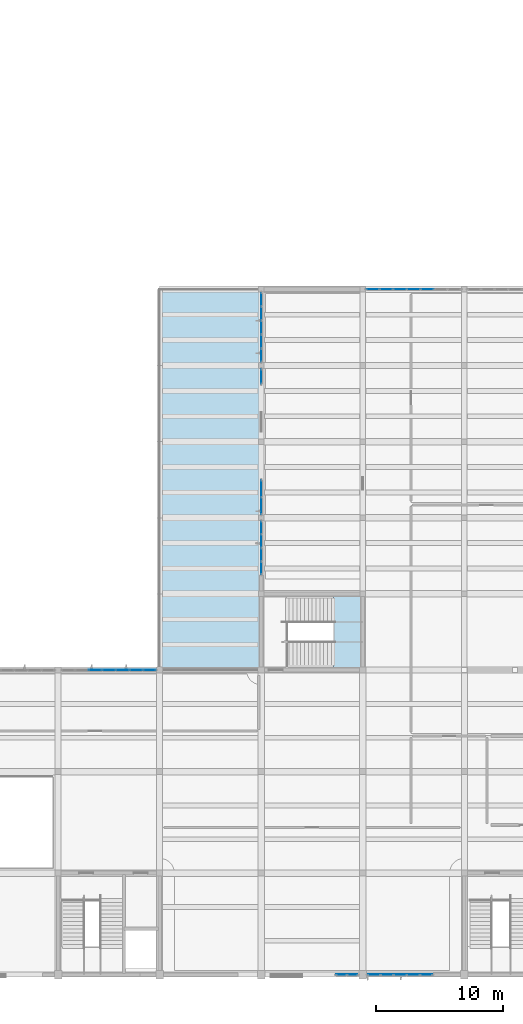
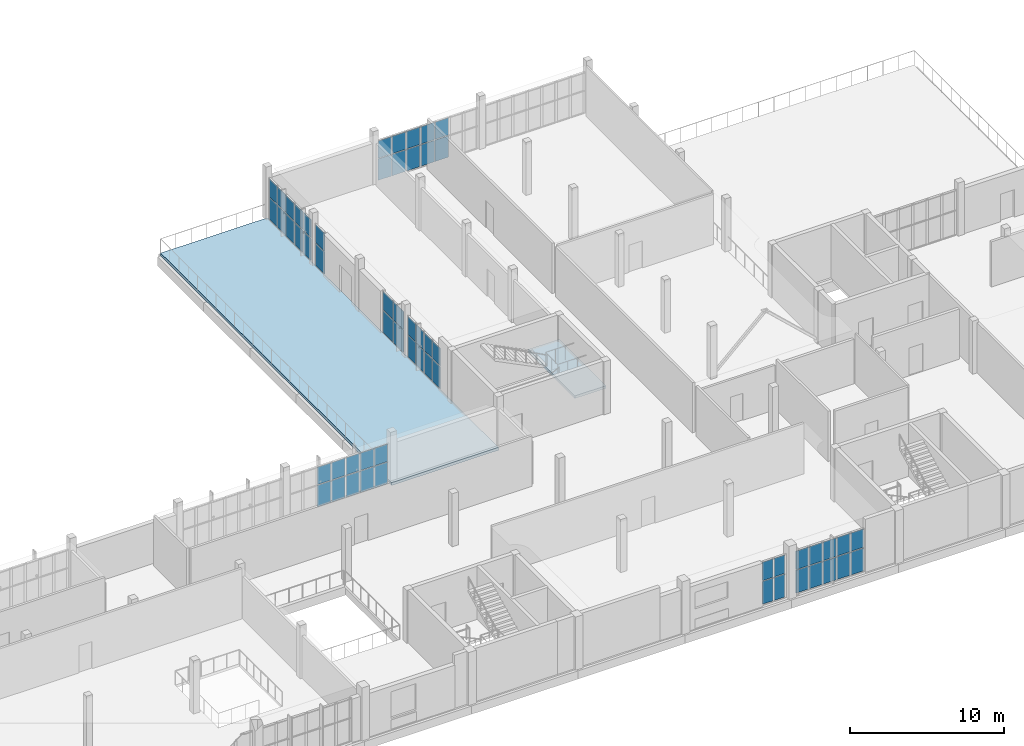
# One storey, part 45 of 70: 58 plates, 2 slabs, 9 elements without a shape of their own.
"""IFC4 building model written with IfcOpenShell, lengths in metres."""

from ifc_helpers import new_model, si_unit, direction, frame, origin, origin_2d, place, context, subcontext, project, spatial, polyline, rectangle, outline, extrude, material, layer, layer_set, type_object, element, aggregate, save


model = new_model("IFC4")

# Units and contexts
model_context = context("Model", 3, precision=1e-05, world=origin(), true_north=direction((0.0, 1.0)))
body_context = subcontext(model_context, "Body", "Model", "MODEL_VIEW")
ifc_project = project(units=[si_unit("LENGTHUNIT", "METRE"), si_unit("AREAUNIT", "SQUARE_METRE"), si_unit("VOLUMEUNIT", "CUBIC_METRE"), si_unit("PLANEANGLEUNIT", "RADIAN"), si_unit("MASSUNIT", "GRAM", prefix="KILO")], contexts=[model_context])

# Site, building, storey
site_placement = place(None, origin())
site = spatial("IfcSite", under=ifc_project, at=site_placement, CompositionType="ELEMENT")
building_placement = place(site_placement, origin())
building = spatial("IfcBuilding", under=site, at=building_placement, Name="Solvane Community Centre", CompositionType="ELEMENT")
storey_placement = place(building_placement, frame((0.0, 0.0, 9.60009765625)))
storey = spatial("IfcBuildingStorey", under=building, at=storey_placement, Name="L02", CompositionType="ELEMENT", Elevation=9.60009765625)

# Slab
ifc_material_1 = material(Name="Concrete C35/45", Category="concrete")
ifc_layer_1 = layer(ifc_material_1, 0.219970703125)
ifc_layer_set_1 = layer_set([ifc_layer_1], Name="Concrete C35/45")
slab_type_1 = type_object("IfcSlabType", Name="Insulated Planted Terrace Slab 220mm [TER-L02-V4E]", PredefinedType="FLOOR", material=ifc_layer_set_1)
slab_1_placement = place(storey_placement, frame((0.0, 0.0, -0.22021484375)))
element("IfcSlab", 1, at=slab_1_placement, inside=storey, type_object=slab_type_1, Name="Library Courtyard Roof Garden", PredefinedType="FLOOR", context=body_context, shape_type="SweptSolid", body=[
    extrude(outline(polyline([(108.0, 30.0), (116.0, 30.0), (116.0, 60.0), (108.0, 60.0), (108.0, 30.0)])), origin(), (0.0, 0.0, 1.0), 0.22021484375),
])

# Curtain wall, plates
ifc_material_2 = material(Name="Anodised bronze aluminium AW-6063 T6", Category="aluminium")
ifc_layer_2 = layer(ifc_material_2, 0.18994140625)
ifc_layer_set_2 = layer_set([ifc_layer_2], Name="Anodised bronze aluminium AW-6063 T6")
curtain_wall_type_1 = type_object("IfcCurtainWallType", Name="Boulevard Bronze Vision Curtain Wall [13x33dm]", PredefinedType="NOTDEFINED", material=ifc_layer_set_2)
curtain_wall_1_placement = place(storey_placement, origin())
curtain_wall_1 = element("IfcCurtainWall", 2, at=curtain_wall_1_placement, inside=storey, type_object=curtain_wall_type_1, Name="Curtain Wall CW-L02-1160_525-198", PredefinedType="NOTDEFINED")
ifc_material_3 = material(Name="Tempered low-E double glazing", Category="glass")
ifc_layer_3 = layer(ifc_material_3, 0.028076171875)
ifc_layer_set_3 = layer_set([ifc_layer_3], Name="Tempered low-E double glazing")
plate_type_1 = type_object("IfcPlateType", Name="Low-E Vision Glazing Panel 28mm [13x33dm]", PredefinedType="CURTAIN_PANEL", material=ifc_layer_set_3)
plate_1_placement = place(storey_placement, frame((116.0, 53.132568359375, 0.059814453125), z_axis=(0.0, 0.0, 1.0), x_axis=(0.0, 1.0, 0.0)))
plate_1 = element("IfcPlate", 3, at=plate_1_placement, type_object=plate_type_1, Name="CW02-13x33 panel 1.1", PredefinedType="CURTAIN_PANEL", context=body_context, shape_type="SweptSolid", body=[
    extrude(rectangle(XDim=1.14501953125, YDim=0.028076171875, at=origin_2d()), origin(), (0.0, 0.0, 1.0), 1.75),
])
plate_2_placement = place(storey_placement, frame((116.0, 53.132568359375, 1.869873046875), z_axis=(0.0, 0.0, 1.0), x_axis=(0.0, 1.0, 0.0)))
plate_2 = element("IfcPlate", 4, at=plate_2_placement, type_object=plate_type_1, Name="CW02-13x33 panel 1.2", PredefinedType="CURTAIN_PANEL", context=body_context, shape_type="SweptSolid", body=[
    extrude(rectangle(XDim=1.14501953125, YDim=0.028076171875, at=origin_2d()), origin(), (0.0, 0.0, 1.0), 1.4150390625),
])
aggregate(curtain_wall_1, [plate_1, plate_2])

ifc_layer_4 = layer(ifc_material_2, 0.18994140625)
ifc_layer_set_4 = layer_set([ifc_layer_4], Name="Anodised bronze aluminium AW-6063 T6")
curtain_wall_type_2 = type_object("IfcCurtainWallType", Name="Boulevard Bronze Vision Curtain Wall [18x34dm]", PredefinedType="NOTDEFINED", material=ifc_layer_set_4)
curtain_wall_2_placement = place(storey_placement, origin())
curtain_wall_2 = element("IfcCurtainWall", 5, at=curtain_wall_2_placement, inside=storey, type_object=curtain_wall_type_2, Name="Curtain Wall CW-L02-1236_60-188", PredefinedType="NOTDEFINED")
ifc_layer_5 = layer(ifc_material_3, 0.028076171875)
ifc_layer_set_5 = layer_set([ifc_layer_5], Name="Tempered low-E double glazing")
plate_type_2 = type_object("IfcPlateType", Name="Low-E Vision Glazing Panel 28mm [18x34dm]", PredefinedType="CURTAIN_PANEL", material=ifc_layer_set_5)
plate_3_placement = place(storey_placement, frame((123.180419921875, 6.0, 0.06005859375), z_axis=(0.0, 0.0, 1.0), x_axis=(-1.0, 0.0, 0.0)))
plate_3 = element("IfcPlate", 6, at=plate_3_placement, type_object=plate_type_2, Name="CW02-18x34 panel 1.1", PredefinedType="CURTAIN_PANEL", context=body_context, shape_type="SweptSolid", body=[
    extrude(rectangle(XDim=0.809326171875, YDim=0.028076171875, at=origin_2d()), origin(), (0.0, 0.0, 1.0), 1.804931640625),
])
plate_4_placement = place(storey_placement, frame((123.180419921875, 6.0, 1.9248046875), z_axis=(0.0, 0.0, 1.0), x_axis=(-1.0, 0.0, 0.0)))
plate_4 = element("IfcPlate", 7, at=plate_4_placement, type_object=plate_type_2, Name="CW02-18x34 panel 1.2", PredefinedType="CURTAIN_PANEL", context=body_context, shape_type="SweptSolid", body=[
    extrude(rectangle(XDim=0.809326171875, YDim=0.028076171875, at=origin_2d()), origin(), (0.0, 0.0, 1.0), 1.4599609375),
])
plate_5_placement = place(storey_placement, frame((122.310791015625, 6.0, 0.06005859375), z_axis=(0.0, 0.0, 1.0), x_axis=(-1.0, 0.0, 0.0)))
plate_5 = element("IfcPlate", 8, at=plate_5_placement, type_object=plate_type_2, Name="CW02-18x34 panel 2.1", PredefinedType="CURTAIN_PANEL", context=body_context, shape_type="SweptSolid", body=[
    extrude(rectangle(XDim=0.809326171875, YDim=0.028076171875, at=origin_2d()), origin(), (0.0, 0.0, 1.0), 1.804931640625),
])
plate_6_placement = place(storey_placement, frame((122.310791015625, 6.0, 1.9248046875), z_axis=(0.0, 0.0, 1.0), x_axis=(-1.0, 0.0, 0.0)))
plate_6 = element("IfcPlate", 9, at=plate_6_placement, type_object=plate_type_2, Name="CW02-18x34 panel 2.2", PredefinedType="CURTAIN_PANEL", context=body_context, shape_type="SweptSolid", body=[
    extrude(rectangle(XDim=0.809326171875, YDim=0.028076171875, at=origin_2d()), origin(), (0.0, 0.0, 1.0), 1.4599609375),
])
aggregate(curtain_wall_2, [plate_3, plate_4, plate_5, plate_6])

ifc_layer_6 = layer(ifc_material_2, 0.18994140625)
ifc_layer_set_6 = layer_set([ifc_layer_6], Name="Anodised bronze aluminium AW-6063 T6")
curtain_wall_type_3 = type_object("IfcCurtainWallType", Name="Boulevard Bronze Vision Curtain Wall [28x33dm]", PredefinedType="NOTDEFINED", material=ifc_layer_set_6)
curtain_wall_3_placement = place(storey_placement, origin())
curtain_wall_3 = element("IfcCurtainWall", 10, at=curtain_wall_3_placement, inside=storey, type_object=curtain_wall_type_3, Name="Curtain Wall CW-L02-1160_422-197", PredefinedType="NOTDEFINED")
ifc_layer_7 = layer(ifc_material_3, 0.028076171875)
ifc_layer_set_7 = layer_set([ifc_layer_7], Name="Tempered low-E double glazing")
plate_type_3 = type_object("IfcPlateType", Name="Low-E Vision Glazing Panel 28mm [28x33dm]", PredefinedType="CURTAIN_PANEL", material=ifc_layer_set_7)
plate_7_placement = place(storey_placement, frame((116.0, 42.941162109375, 0.059814453125), z_axis=(0.0, 0.0, 1.0), x_axis=(0.0, 1.0, 0.0)))
plate_7 = element("IfcPlate", 11, at=plate_7_placement, type_object=plate_type_3, Name="CW02-28x33 panel 1.1", PredefinedType="CURTAIN_PANEL", context=body_context, shape_type="SweptSolid", body=[
    extrude(rectangle(XDim=1.29248046875, YDim=0.028076171875, at=origin_2d()), origin(), (0.0, 0.0, 1.0), 1.75),
])
plate_8_placement = place(storey_placement, frame((116.0, 42.941162109375, 1.869873046875), z_axis=(0.0, 0.0, 1.0), x_axis=(0.0, 1.0, 0.0)))
plate_8 = element("IfcPlate", 12, at=plate_8_placement, type_object=plate_type_3, Name="CW02-28x33 panel 1.2", PredefinedType="CURTAIN_PANEL", context=body_context, shape_type="SweptSolid", body=[
    extrude(rectangle(XDim=1.29248046875, YDim=0.028076171875, at=origin_2d()), origin(), (0.0, 0.0, 1.0), 1.4150390625),
])
plate_9_placement = place(storey_placement, frame((116.0, 44.293701171875, 0.059814453125), z_axis=(0.0, 0.0, 1.0), x_axis=(0.0, 1.0, 0.0)))
plate_9 = element("IfcPlate", 13, at=plate_9_placement, type_object=plate_type_3, Name="CW02-28x33 panel 2.1", PredefinedType="CURTAIN_PANEL", context=body_context, shape_type="SweptSolid", body=[
    extrude(rectangle(XDim=1.29248046875, YDim=0.028076171875, at=origin_2d()), origin(), (0.0, 0.0, 1.0), 1.75),
])
plate_10_placement = place(storey_placement, frame((116.0, 44.293701171875, 1.869873046875), z_axis=(0.0, 0.0, 1.0), x_axis=(0.0, 1.0, 0.0)))
plate_10 = element("IfcPlate", 14, at=plate_10_placement, type_object=plate_type_3, Name="CW02-28x33 panel 2.2", PredefinedType="CURTAIN_PANEL", context=body_context, shape_type="SweptSolid", body=[
    extrude(rectangle(XDim=1.29248046875, YDim=0.028076171875, at=origin_2d()), origin(), (0.0, 0.0, 1.0), 1.4150390625),
])
aggregate(curtain_wall_3, [plate_7, plate_8, plate_9, plate_10])

ifc_layer_8 = layer(ifc_material_2, 0.18994140625)
ifc_layer_set_8 = layer_set([ifc_layer_8], Name="Anodised bronze aluminium AW-6063 T6")
curtain_wall_type_4 = type_object("IfcCurtainWallType", Name="Boulevard Bronze Vision Curtain Wall [43x33dm]", PredefinedType="NOTDEFINED", material=ifc_layer_set_8)
curtain_wall_4_placement = place(storey_placement, origin())
curtain_wall_4 = element("IfcCurtainWall", 15, at=curtain_wall_4_placement, inside=storey, type_object=curtain_wall_type_4, Name="Curtain Wall CW-L02-1160_375-196", PredefinedType="NOTDEFINED")
ifc_layer_9 = layer(ifc_material_3, 0.028076171875)
ifc_layer_set_9 = layer_set([ifc_layer_9], Name="Tempered low-E double glazing")
plate_type_4 = type_object("IfcPlateType", Name="Low-E Vision Glazing Panel 28mm [43x33dm]", PredefinedType="CURTAIN_PANEL", material=ifc_layer_set_9)
plate_11_placement = place(storey_placement, frame((116.0, 38.048095703125, 0.059814453125), z_axis=(0.0, 0.0, 1.0), x_axis=(0.0, 1.0, 0.0)))
plate_11 = element("IfcPlate", 16, at=plate_11_placement, type_object=plate_type_4, Name="CW02-43x33 panel 1.1", PredefinedType="CURTAIN_PANEL", context=body_context, shape_type="SweptSolid", body=[
    extrude(rectangle(XDim=0.976318359375, YDim=0.028076171875, at=origin_2d()), origin(), (0.0, 0.0, 1.0), 1.75),
])
plate_12_placement = place(storey_placement, frame((116.0, 38.048095703125, 1.869873046875), z_axis=(0.0, 0.0, 1.0), x_axis=(0.0, 1.0, 0.0)))
plate_12 = element("IfcPlate", 17, at=plate_12_placement, type_object=plate_type_4, Name="CW02-43x33 panel 1.2", PredefinedType="CURTAIN_PANEL", context=body_context, shape_type="SweptSolid", body=[
    extrude(rectangle(XDim=0.976318359375, YDim=0.028076171875, at=origin_2d()), origin(), (0.0, 0.0, 1.0), 1.4150390625),
])
plate_13_placement = place(storey_placement, frame((116.0, 39.099365234375, 0.059814453125), z_axis=(0.0, 0.0, 1.0), x_axis=(0.0, 1.0, 0.0)))
plate_13 = element("IfcPlate", 18, at=plate_13_placement, type_object=plate_type_4, Name="CW02-43x33 panel 2.1", PredefinedType="CURTAIN_PANEL", context=body_context, shape_type="SweptSolid", body=[
    extrude(rectangle(XDim=1.00634765625, YDim=0.028076171875, at=origin_2d()), origin(), (0.0, 0.0, 1.0), 1.75),
])
plate_14_placement = place(storey_placement, frame((116.0, 39.099365234375, 1.869873046875), z_axis=(0.0, 0.0, 1.0), x_axis=(0.0, 1.0, 0.0)))
plate_14 = element("IfcPlate", 19, at=plate_14_placement, type_object=plate_type_4, Name="CW02-43x33 panel 2.2", PredefinedType="CURTAIN_PANEL", context=body_context, shape_type="SweptSolid", body=[
    extrude(rectangle(XDim=1.00634765625, YDim=0.028076171875, at=origin_2d()), origin(), (0.0, 0.0, 1.0), 1.4150390625),
])
plate_15_placement = place(storey_placement, frame((116.0, 40.16552734375, 0.059814453125), z_axis=(0.0, 0.0, 1.0), x_axis=(0.0, 1.0, 0.0)))
plate_15 = element("IfcPlate", 20, at=plate_15_placement, type_object=plate_type_4, Name="CW02-43x33 panel 3.1", PredefinedType="CURTAIN_PANEL", context=body_context, shape_type="SweptSolid", body=[
    extrude(rectangle(XDim=1.00634765625, YDim=0.028076171875, at=origin_2d()), origin(), (0.0, 0.0, 1.0), 1.75),
])
plate_16_placement = place(storey_placement, frame((116.0, 40.16552734375, 1.869873046875), z_axis=(0.0, 0.0, 1.0), x_axis=(0.0, 1.0, 0.0)))
plate_16 = element("IfcPlate", 21, at=plate_16_placement, type_object=plate_type_4, Name="CW02-43x33 panel 3.2", PredefinedType="CURTAIN_PANEL", context=body_context, shape_type="SweptSolid", body=[
    extrude(rectangle(XDim=1.00634765625, YDim=0.028076171875, at=origin_2d()), origin(), (0.0, 0.0, 1.0), 1.4150390625),
])
plate_17_placement = place(storey_placement, frame((116.0, 41.216796875, 0.059814453125), z_axis=(0.0, 0.0, 1.0), x_axis=(0.0, 1.0, 0.0)))
plate_17 = element("IfcPlate", 22, at=plate_17_placement, type_object=plate_type_4, Name="CW02-43x33 panel 4.1", PredefinedType="CURTAIN_PANEL", context=body_context, shape_type="SweptSolid", body=[
    extrude(rectangle(XDim=0.976318359375, YDim=0.028076171875, at=origin_2d()), origin(), (0.0, 0.0, 1.0), 1.75),
])
plate_18_placement = place(storey_placement, frame((116.0, 41.216796875, 1.869873046875), z_axis=(0.0, 0.0, 1.0), x_axis=(0.0, 1.0, 0.0)))
plate_18 = element("IfcPlate", 23, at=plate_18_placement, type_object=plate_type_4, Name="CW02-43x33 panel 4.2", PredefinedType="CURTAIN_PANEL", context=body_context, shape_type="SweptSolid", body=[
    extrude(rectangle(XDim=0.976318359375, YDim=0.028076171875, at=origin_2d()), origin(), (0.0, 0.0, 1.0), 1.4150390625),
])
aggregate(curtain_wall_4, [plate_11, plate_12, plate_13, plate_14, plate_15, plate_16, plate_17, plate_18])

ifc_layer_10 = layer(ifc_material_2, 0.18994140625)
ifc_layer_set_10 = layer_set([ifc_layer_10], Name="Anodised bronze aluminium AW-6063 T6")
curtain_wall_type_5 = type_object("IfcCurtainWallType", Name="Boulevard Bronze Vision Curtain Wall [52x34dm]", PredefinedType="NOTDEFINED", material=ifc_layer_set_10)
curtain_wall_5_placement = place(storey_placement, origin())
curtain_wall_5 = element("IfcCurtainWall", 24, at=curtain_wall_5_placement, inside=storey, type_object=curtain_wall_type_5, Name="Curtain Wall CW-L02-1295_60-187", PredefinedType="NOTDEFINED")
ifc_layer_11 = layer(ifc_material_3, 0.028076171875)
ifc_layer_set_11 = layer_set([ifc_layer_11], Name="Tempered low-E double glazing")
plate_type_5 = type_object("IfcPlateType", Name="Low-E Vision Glazing Panel 28mm [52x34dm]", PredefinedType="CURTAIN_PANEL", material=ifc_layer_set_11)
plate_19_placement = place(storey_placement, frame((129.005126953125, 6.0, 0.06005859375), z_axis=(0.0, 0.0, 1.0), x_axis=(-1.0, 0.0, 0.0)))
plate_19 = element("IfcPlate", 25, at=plate_19_placement, type_object=plate_type_5, Name="CW02-52x34 panel 1.1", PredefinedType="CURTAIN_PANEL", context=body_context, shape_type="SweptSolid", body=[
    extrude(rectangle(XDim=0.94677734375, YDim=0.028076171875, at=origin_2d()), origin(), (0.0, 0.0, 1.0), 1.804931640625),
])
plate_20_placement = place(storey_placement, frame((129.005126953125, 6.0, 1.9248046875), z_axis=(0.0, 0.0, 1.0), x_axis=(-1.0, 0.0, 0.0)))
plate_20 = element("IfcPlate", 26, at=plate_20_placement, type_object=plate_type_5, Name="CW02-52x34 panel 1.2", PredefinedType="CURTAIN_PANEL", context=body_context, shape_type="SweptSolid", body=[
    extrude(rectangle(XDim=0.94677734375, YDim=0.028076171875, at=origin_2d()), origin(), (0.0, 0.0, 1.0), 1.4599609375),
])
plate_21_placement = place(storey_placement, frame((127.9833984375, 6.0, 0.06005859375), z_axis=(0.0, 0.0, 1.0), x_axis=(-1.0, 0.0, 0.0)))
plate_21 = element("IfcPlate", 27, at=plate_21_placement, type_object=plate_type_5, Name="CW02-52x34 panel 2.1", PredefinedType="CURTAIN_PANEL", context=body_context, shape_type="SweptSolid", body=[
    extrude(rectangle(XDim=0.976806640625, YDim=0.028076171875, at=origin_2d()), origin(), (0.0, 0.0, 1.0), 1.804931640625),
])
plate_22_placement = place(storey_placement, frame((127.9833984375, 6.0, 1.9248046875), z_axis=(0.0, 0.0, 1.0), x_axis=(-1.0, 0.0, 0.0)))
plate_22 = element("IfcPlate", 28, at=plate_22_placement, type_object=plate_type_5, Name="CW02-52x34 panel 2.2", PredefinedType="CURTAIN_PANEL", context=body_context, shape_type="SweptSolid", body=[
    extrude(rectangle(XDim=0.976806640625, YDim=0.028076171875, at=origin_2d()), origin(), (0.0, 0.0, 1.0), 1.4599609375),
])
plate_23_placement = place(storey_placement, frame((126.94677734375, 6.0, 0.06005859375), z_axis=(0.0, 0.0, 1.0), x_axis=(-1.0, 0.0, 0.0)))
plate_23 = element("IfcPlate", 29, at=plate_23_placement, type_object=plate_type_5, Name="CW02-52x34 panel 3.1", PredefinedType="CURTAIN_PANEL", context=body_context, shape_type="SweptSolid", body=[
    extrude(rectangle(XDim=0.976806640625, YDim=0.028076171875, at=origin_2d()), origin(), (0.0, 0.0, 1.0), 1.804931640625),
])
plate_24_placement = place(storey_placement, frame((126.94677734375, 6.0, 1.9248046875), z_axis=(0.0, 0.0, 1.0), x_axis=(-1.0, 0.0, 0.0)))
plate_24 = element("IfcPlate", 30, at=plate_24_placement, type_object=plate_type_5, Name="CW02-52x34 panel 3.2", PredefinedType="CURTAIN_PANEL", context=body_context, shape_type="SweptSolid", body=[
    extrude(rectangle(XDim=0.976806640625, YDim=0.028076171875, at=origin_2d()), origin(), (0.0, 0.0, 1.0), 1.4599609375),
])
plate_25_placement = place(storey_placement, frame((125.91015625, 6.0, 0.06005859375), z_axis=(0.0, 0.0, 1.0), x_axis=(-1.0, 0.0, 0.0)))
plate_25 = element("IfcPlate", 31, at=plate_25_placement, type_object=plate_type_5, Name="CW02-52x34 panel 4.1", PredefinedType="CURTAIN_PANEL", context=body_context, shape_type="SweptSolid", body=[
    extrude(rectangle(XDim=0.976806640625, YDim=0.028076171875, at=origin_2d()), origin(), (0.0, 0.0, 1.0), 1.804931640625),
])
plate_26_placement = place(storey_placement, frame((125.91015625, 6.0, 1.9248046875), z_axis=(0.0, 0.0, 1.0), x_axis=(-1.0, 0.0, 0.0)))
plate_26 = element("IfcPlate", 32, at=plate_26_placement, type_object=plate_type_5, Name="CW02-52x34 panel 4.2", PredefinedType="CURTAIN_PANEL", context=body_context, shape_type="SweptSolid", body=[
    extrude(rectangle(XDim=0.976806640625, YDim=0.028076171875, at=origin_2d()), origin(), (0.0, 0.0, 1.0), 1.4599609375),
])
plate_27_placement = place(storey_placement, frame((124.888427734375, 6.0, 0.06005859375), z_axis=(0.0, 0.0, 1.0), x_axis=(-1.0, 0.0, 0.0)))
plate_27 = element("IfcPlate", 33, at=plate_27_placement, type_object=plate_type_5, Name="CW02-52x34 panel 5.1", PredefinedType="CURTAIN_PANEL", context=body_context, shape_type="SweptSolid", body=[
    extrude(rectangle(XDim=0.94677734375, YDim=0.028076171875, at=origin_2d()), origin(), (0.0, 0.0, 1.0), 1.804931640625),
])
plate_28_placement = place(storey_placement, frame((124.888427734375, 6.0, 1.9248046875), z_axis=(0.0, 0.0, 1.0), x_axis=(-1.0, 0.0, 0.0)))
plate_28 = element("IfcPlate", 34, at=plate_28_placement, type_object=plate_type_5, Name="CW02-52x34 panel 5.2", PredefinedType="CURTAIN_PANEL", context=body_context, shape_type="SweptSolid", body=[
    extrude(rectangle(XDim=0.94677734375, YDim=0.028076171875, at=origin_2d()), origin(), (0.0, 0.0, 1.0), 1.4599609375),
])
aggregate(curtain_wall_5, [plate_19, plate_20, plate_21, plate_22, plate_23, plate_24, plate_25, plate_26, plate_27, plate_28])

ifc_layer_12 = layer(ifc_material_2, 0.18994140625)
ifc_layer_set_12 = layer_set([ifc_layer_12], Name="Anodised bronze aluminium AW-6063 T6")
curtain_wall_type_6 = type_object("IfcCurtainWallType", Name="Boulevard Bronze Vision Curtain Wall [55x33dm]", PredefinedType="NOTDEFINED", material=ifc_layer_set_12)
curtain_wall_6_placement = place(storey_placement, origin())
curtain_wall_6 = element("IfcCurtainWall", 35, at=curtain_wall_6_placement, inside=storey, type_object=curtain_wall_type_6, Name="Curtain Wall CW-L02-1160_542-199", PredefinedType="NOTDEFINED")
ifc_layer_13 = layer(ifc_material_3, 0.028076171875)
ifc_layer_set_13 = layer_set([ifc_layer_13], Name="Tempered low-E double glazing")
plate_type_6 = type_object("IfcPlateType", Name="Low-E Vision Glazing Panel 28mm [55x33dm]", PredefinedType="CURTAIN_PANEL", material=ifc_layer_set_13)
plate_29_placement = place(storey_placement, frame((116.0, 54.802978515625, 0.059814453125), z_axis=(0.0, 0.0, 1.0), x_axis=(0.0, 1.0, 0.0)))
plate_29 = element("IfcPlate", 36, at=plate_29_placement, type_object=plate_type_6, Name="CW02-55x33 panel 1.1", PredefinedType="CURTAIN_PANEL", context=body_context, shape_type="SweptSolid", body=[
    extrude(rectangle(XDim=1.01611328125, YDim=0.028076171875, at=origin_2d()), origin(), (0.0, 0.0, 1.0), 1.75),
])
plate_30_placement = place(storey_placement, frame((116.0, 54.802978515625, 1.869873046875), z_axis=(0.0, 0.0, 1.0), x_axis=(0.0, 1.0, 0.0)))
plate_30 = element("IfcPlate", 37, at=plate_30_placement, type_object=plate_type_6, Name="CW02-55x33 panel 1.2", PredefinedType="CURTAIN_PANEL", context=body_context, shape_type="SweptSolid", body=[
    extrude(rectangle(XDim=1.01611328125, YDim=0.028076171875, at=origin_2d()), origin(), (0.0, 0.0, 1.0), 1.4150390625),
])
plate_31_placement = place(storey_placement, frame((116.0, 55.89404296875, 0.059814453125), z_axis=(0.0, 0.0, 1.0), x_axis=(0.0, 1.0, 0.0)))
plate_31 = element("IfcPlate", 38, at=plate_31_placement, type_object=plate_type_6, Name="CW02-55x33 panel 2.1", PredefinedType="CURTAIN_PANEL", context=body_context, shape_type="SweptSolid", body=[
    extrude(rectangle(XDim=1.0458984375, YDim=0.028076171875, at=origin_2d()), origin(), (0.0, 0.0, 1.0), 1.75),
])
plate_32_placement = place(storey_placement, frame((116.0, 55.89404296875, 1.869873046875), z_axis=(0.0, 0.0, 1.0), x_axis=(0.0, 1.0, 0.0)))
plate_32 = element("IfcPlate", 39, at=plate_32_placement, type_object=plate_type_6, Name="CW02-55x33 panel 2.2", PredefinedType="CURTAIN_PANEL", context=body_context, shape_type="SweptSolid", body=[
    extrude(rectangle(XDim=1.0458984375, YDim=0.028076171875, at=origin_2d()), origin(), (0.0, 0.0, 1.0), 1.4150390625),
])
plate_33_placement = place(storey_placement, frame((116.0, 57.0, 0.059814453125), z_axis=(0.0, 0.0, 1.0), x_axis=(0.0, 1.0, 0.0)))
plate_33 = element("IfcPlate", 40, at=plate_33_placement, type_object=plate_type_6, Name="CW02-55x33 panel 3.1", PredefinedType="CURTAIN_PANEL", context=body_context, shape_type="SweptSolid", body=[
    extrude(rectangle(XDim=1.0458984375, YDim=0.028076171875, at=origin_2d()), origin(), (0.0, 0.0, 1.0), 1.75),
])
plate_34_placement = place(storey_placement, frame((116.0, 57.0, 1.869873046875), z_axis=(0.0, 0.0, 1.0), x_axis=(0.0, 1.0, 0.0)))
plate_34 = element("IfcPlate", 41, at=plate_34_placement, type_object=plate_type_6, Name="CW02-55x33 panel 3.2", PredefinedType="CURTAIN_PANEL", context=body_context, shape_type="SweptSolid", body=[
    extrude(rectangle(XDim=1.0458984375, YDim=0.028076171875, at=origin_2d()), origin(), (0.0, 0.0, 1.0), 1.4150390625),
])
plate_35_placement = place(storey_placement, frame((116.0, 58.10595703125, 0.059814453125), z_axis=(0.0, 0.0, 1.0), x_axis=(0.0, 1.0, 0.0)))
plate_35 = element("IfcPlate", 42, at=plate_35_placement, type_object=plate_type_6, Name="CW02-55x33 panel 4.1", PredefinedType="CURTAIN_PANEL", context=body_context, shape_type="SweptSolid", body=[
    extrude(rectangle(XDim=1.0458984375, YDim=0.028076171875, at=origin_2d()), origin(), (0.0, 0.0, 1.0), 1.75),
])
plate_36_placement = place(storey_placement, frame((116.0, 58.10595703125, 1.869873046875), z_axis=(0.0, 0.0, 1.0), x_axis=(0.0, 1.0, 0.0)))
plate_36 = element("IfcPlate", 43, at=plate_36_placement, type_object=plate_type_6, Name="CW02-55x33 panel 4.2", PredefinedType="CURTAIN_PANEL", context=body_context, shape_type="SweptSolid", body=[
    extrude(rectangle(XDim=1.0458984375, YDim=0.028076171875, at=origin_2d()), origin(), (0.0, 0.0, 1.0), 1.4150390625),
])
plate_37_placement = place(storey_placement, frame((116.0, 59.197021484375, 0.059814453125), z_axis=(0.0, 0.0, 1.0), x_axis=(0.0, 1.0, 0.0)))
plate_37 = element("IfcPlate", 44, at=plate_37_placement, type_object=plate_type_6, Name="CW02-55x33 panel 5.1", PredefinedType="CURTAIN_PANEL", context=body_context, shape_type="SweptSolid", body=[
    extrude(rectangle(XDim=1.01611328125, YDim=0.028076171875, at=origin_2d()), origin(), (0.0, 0.0, 1.0), 1.75),
])
plate_38_placement = place(storey_placement, frame((116.0, 59.197021484375, 1.869873046875), z_axis=(0.0, 0.0, 1.0), x_axis=(0.0, 1.0, 0.0)))
plate_38 = element("IfcPlate", 45, at=plate_38_placement, type_object=plate_type_6, Name="CW02-55x33 panel 5.2", PredefinedType="CURTAIN_PANEL", context=body_context, shape_type="SweptSolid", body=[
    extrude(rectangle(XDim=1.01611328125, YDim=0.028076171875, at=origin_2d()), origin(), (0.0, 0.0, 1.0), 1.4150390625),
])
aggregate(curtain_wall_6, [plate_29, plate_30, plate_31, plate_32, plate_33, plate_34, plate_35, plate_36, plate_37, plate_38])

ifc_layer_14 = layer(ifc_material_2, 0.18994140625)
ifc_layer_set_14 = layer_set([ifc_layer_14], Name="Anodised bronze aluminium AW-6063 T6")
curtain_wall_type_7 = type_object("IfcCurtainWallType", Name="Boulevard Bronze Vision Curtain Wall [75x32dm]", PredefinedType="NOTDEFINED", material=ifc_layer_set_14)
curtain_wall_7_placement = place(storey_placement, origin())
curtain_wall_7 = element("IfcCurtainWall", 46, at=curtain_wall_7_placement, inside=storey, type_object=curtain_wall_type_7, Name="Curtain Wall CW-L02-1003_300-195", PredefinedType="NOTDEFINED")
ifc_layer_15 = layer(ifc_material_3, 0.028076171875)
ifc_layer_set_15 = layer_set([ifc_layer_15], Name="Tempered low-E double glazing")
plate_type_7 = type_object("IfcPlateType", Name="Low-E Vision Glazing Panel 28mm [75x32dm]", PredefinedType="CURTAIN_PANEL", material=ifc_layer_set_15)
plate_39_placement = place(storey_placement, frame((102.929931640625, 30.0, 0.06005859375), z_axis=(0.0, 0.0, 1.0), x_axis=(1.0, 0.0, 0.0)))
plate_39 = element("IfcPlate", 47, at=plate_39_placement, type_object=plate_type_7, Name="CW02-75x32 panel 3.1", PredefinedType="CURTAIN_PANEL", context=body_context, shape_type="SweptSolid", body=[
    extrude(rectangle(XDim=1.010009765625, YDim=0.028076171875, at=origin_2d()), origin(), (0.0, 0.0, 1.0), 1.695068359375),
])
plate_40_placement = place(storey_placement, frame((102.929931640625, 30.0, 1.81494140625), z_axis=(0.0, 0.0, 1.0), x_axis=(1.0, 0.0, 0.0)))
plate_40 = element("IfcPlate", 48, at=plate_40_placement, type_object=plate_type_7, Name="CW02-75x32 panel 3.2", PredefinedType="CURTAIN_PANEL", context=body_context, shape_type="SweptSolid", body=[
    extrude(rectangle(XDim=1.010009765625, YDim=0.028076171875, at=origin_2d()), origin(), (0.0, 0.0, 1.0), 1.3701171875),
])
plate_41_placement = place(storey_placement, frame((104.0, 30.0, 0.06005859375), z_axis=(0.0, 0.0, 1.0), x_axis=(1.0, 0.0, 0.0)))
plate_41 = element("IfcPlate", 49, at=plate_41_placement, type_object=plate_type_7, Name="CW02-75x32 panel 4.1", PredefinedType="CURTAIN_PANEL", context=body_context, shape_type="SweptSolid", body=[
    extrude(rectangle(XDim=1.010009765625, YDim=0.028076171875, at=origin_2d()), origin(), (0.0, 0.0, 1.0), 1.695068359375),
])
plate_42_placement = place(storey_placement, frame((104.0, 30.0, 1.81494140625), z_axis=(0.0, 0.0, 1.0), x_axis=(1.0, 0.0, 0.0)))
plate_42 = element("IfcPlate", 50, at=plate_42_placement, type_object=plate_type_7, Name="CW02-75x32 panel 4.2", PredefinedType="CURTAIN_PANEL", context=body_context, shape_type="SweptSolid", body=[
    extrude(rectangle(XDim=1.010009765625, YDim=0.028076171875, at=origin_2d()), origin(), (0.0, 0.0, 1.0), 1.3701171875),
])
plate_43_placement = place(storey_placement, frame((105.070068359375, 30.0, 0.06005859375), z_axis=(0.0, 0.0, 1.0), x_axis=(1.0, 0.0, 0.0)))
plate_43 = element("IfcPlate", 51, at=plate_43_placement, type_object=plate_type_7, Name="CW02-75x32 panel 5.1", PredefinedType="CURTAIN_PANEL", context=body_context, shape_type="SweptSolid", body=[
    extrude(rectangle(XDim=1.010009765625, YDim=0.028076171875, at=origin_2d()), origin(), (0.0, 0.0, 1.0), 1.695068359375),
])
plate_44_placement = place(storey_placement, frame((105.070068359375, 30.0, 1.81494140625), z_axis=(0.0, 0.0, 1.0), x_axis=(1.0, 0.0, 0.0)))
plate_44 = element("IfcPlate", 52, at=plate_44_placement, type_object=plate_type_7, Name="CW02-75x32 panel 5.2", PredefinedType="CURTAIN_PANEL", context=body_context, shape_type="SweptSolid", body=[
    extrude(rectangle(XDim=1.010009765625, YDim=0.028076171875, at=origin_2d()), origin(), (0.0, 0.0, 1.0), 1.3701171875),
])
plate_45_placement = place(storey_placement, frame((106.139892578125, 30.0, 0.06005859375), z_axis=(0.0, 0.0, 1.0), x_axis=(1.0, 0.0, 0.0)))
plate_45 = element("IfcPlate", 53, at=plate_45_placement, type_object=plate_type_7, Name="CW02-75x32 panel 6.1", PredefinedType="CURTAIN_PANEL", context=body_context, shape_type="SweptSolid", body=[
    extrude(rectangle(XDim=1.010009765625, YDim=0.028076171875, at=origin_2d()), origin(), (0.0, 0.0, 1.0), 1.695068359375),
])
plate_46_placement = place(storey_placement, frame((106.139892578125, 30.0, 1.81494140625), z_axis=(0.0, 0.0, 1.0), x_axis=(1.0, 0.0, 0.0)))
plate_46 = element("IfcPlate", 54, at=plate_46_placement, type_object=plate_type_7, Name="CW02-75x32 panel 6.2", PredefinedType="CURTAIN_PANEL", context=body_context, shape_type="SweptSolid", body=[
    extrude(rectangle(XDim=1.010009765625, YDim=0.028076171875, at=origin_2d()), origin(), (0.0, 0.0, 1.0), 1.3701171875),
])
plate_47_placement = place(storey_placement, frame((107.195068359375, 30.0, 0.06005859375), z_axis=(0.0, 0.0, 1.0), x_axis=(1.0, 0.0, 0.0)))
plate_47 = element("IfcPlate", 55, at=plate_47_placement, type_object=plate_type_7, Name="CW02-75x32 panel 7.1", PredefinedType="CURTAIN_PANEL", context=body_context, shape_type="SweptSolid", body=[
    extrude(rectangle(XDim=0.97998046875, YDim=0.028076171875, at=origin_2d()), origin(), (0.0, 0.0, 1.0), 1.695068359375),
])
plate_48_placement = place(storey_placement, frame((107.195068359375, 30.0, 1.81494140625), z_axis=(0.0, 0.0, 1.0), x_axis=(1.0, 0.0, 0.0)))
plate_48 = element("IfcPlate", 56, at=plate_48_placement, type_object=plate_type_7, Name="CW02-75x32 panel 7.2", PredefinedType="CURTAIN_PANEL", context=body_context, shape_type="SweptSolid", body=[
    extrude(rectangle(XDim=0.97998046875, YDim=0.028076171875, at=origin_2d()), origin(), (0.0, 0.0, 1.0), 1.3701171875),
])
aggregate(curtain_wall_7, [plate_39, plate_40, plate_41, plate_42, plate_43, plate_44, plate_45, plate_46, plate_47, plate_48])

curtain_wall_8_placement = place(storey_placement, origin())
curtain_wall_8 = element("IfcCurtainWall", 57, at=curtain_wall_8_placement, inside=storey, type_object=curtain_wall_type_7, Name="Curtain Wall CW-L02-1242_600-200", PredefinedType="NOTDEFINED")
plate_49_placement = place(storey_placement, frame((124.787841796875, 60.0, 0.06005859375), z_axis=(0.0, 0.0, 1.0), x_axis=(1.0, 0.0, 0.0)))
plate_49 = element("IfcPlate", 58, at=plate_49_placement, type_object=plate_type_7, Name="CW02-75x32 panel 1.1", PredefinedType="CURTAIN_PANEL", context=body_context, shape_type="SweptSolid", body=[
    extrude(rectangle(XDim=0.985595703125, YDim=0.028076171875, at=origin_2d()), origin(), (0.0, 0.0, 1.0), 1.695068359375),
])
plate_50_placement = place(storey_placement, frame((124.787841796875, 60.0, 1.81494140625), z_axis=(0.0, 0.0, 1.0), x_axis=(1.0, 0.0, 0.0)))
plate_50 = element("IfcPlate", 59, at=plate_50_placement, type_object=plate_type_7, Name="CW02-75x32 panel 1.2", PredefinedType="CURTAIN_PANEL", context=body_context, shape_type="SweptSolid", body=[
    extrude(rectangle(XDim=0.985595703125, YDim=0.028076171875, at=origin_2d()), origin(), (0.0, 0.0, 1.0), 1.3701171875),
])
plate_51_placement = place(storey_placement, frame((125.8486328125, 60.0, 0.06005859375), z_axis=(0.0, 0.0, 1.0), x_axis=(1.0, 0.0, 0.0)))
plate_51 = element("IfcPlate", 60, at=plate_51_placement, type_object=plate_type_7, Name="CW02-75x32 panel 2.1", PredefinedType="CURTAIN_PANEL", context=body_context, shape_type="SweptSolid", body=[
    extrude(rectangle(XDim=1.015625, YDim=0.028076171875, at=origin_2d()), origin(), (0.0, 0.0, 1.0), 1.695068359375),
])
plate_52_placement = place(storey_placement, frame((125.8486328125, 60.0, 1.81494140625), z_axis=(0.0, 0.0, 1.0), x_axis=(1.0, 0.0, 0.0)))
plate_52 = element("IfcPlate", 61, at=plate_52_placement, type_object=plate_type_7, Name="CW02-75x32 panel 2.2", PredefinedType="CURTAIN_PANEL", context=body_context, shape_type="SweptSolid", body=[
    extrude(rectangle(XDim=1.015625, YDim=0.028076171875, at=origin_2d()), origin(), (0.0, 0.0, 1.0), 1.3701171875),
])
plate_53_placement = place(storey_placement, frame((126.92431640625, 60.0, 0.06005859375), z_axis=(0.0, 0.0, 1.0), x_axis=(1.0, 0.0, 0.0)))
plate_53 = element("IfcPlate", 62, at=plate_53_placement, type_object=plate_type_7, Name="CW02-75x32 panel 3.1", PredefinedType="CURTAIN_PANEL", context=body_context, shape_type="SweptSolid", body=[
    extrude(rectangle(XDim=1.015625, YDim=0.028076171875, at=origin_2d()), origin(), (0.0, 0.0, 1.0), 1.695068359375),
])
plate_54_placement = place(storey_placement, frame((126.92431640625, 60.0, 1.81494140625), z_axis=(0.0, 0.0, 1.0), x_axis=(1.0, 0.0, 0.0)))
plate_54 = element("IfcPlate", 63, at=plate_54_placement, type_object=plate_type_7, Name="CW02-75x32 panel 3.2", PredefinedType="CURTAIN_PANEL", context=body_context, shape_type="SweptSolid", body=[
    extrude(rectangle(XDim=1.015625, YDim=0.028076171875, at=origin_2d()), origin(), (0.0, 0.0, 1.0), 1.3701171875),
])
plate_55_placement = place(storey_placement, frame((128.0, 60.0, 0.06005859375), z_axis=(0.0, 0.0, 1.0), x_axis=(1.0, 0.0, 0.0)))
plate_55 = element("IfcPlate", 64, at=plate_55_placement, type_object=plate_type_7, Name="CW02-75x32 panel 4.1", PredefinedType="CURTAIN_PANEL", context=body_context, shape_type="SweptSolid", body=[
    extrude(rectangle(XDim=1.015625, YDim=0.028076171875, at=origin_2d()), origin(), (0.0, 0.0, 1.0), 1.695068359375),
])
plate_56_placement = place(storey_placement, frame((128.0, 60.0, 1.81494140625), z_axis=(0.0, 0.0, 1.0), x_axis=(1.0, 0.0, 0.0)))
plate_56 = element("IfcPlate", 65, at=plate_56_placement, type_object=plate_type_7, Name="CW02-75x32 panel 4.2", PredefinedType="CURTAIN_PANEL", context=body_context, shape_type="SweptSolid", body=[
    extrude(rectangle(XDim=1.015625, YDim=0.028076171875, at=origin_2d()), origin(), (0.0, 0.0, 1.0), 1.3701171875),
])
plate_57_placement = place(storey_placement, frame((129.07568359375, 60.0, 0.06005859375), z_axis=(0.0, 0.0, 1.0), x_axis=(1.0, 0.0, 0.0)))
plate_57 = element("IfcPlate", 66, at=plate_57_placement, type_object=plate_type_7, Name="CW02-75x32 panel 5.1", PredefinedType="CURTAIN_PANEL", context=body_context, shape_type="SweptSolid", body=[
    extrude(rectangle(XDim=1.015625, YDim=0.028076171875, at=origin_2d()), origin(), (0.0, 0.0, 1.0), 1.695068359375),
])
plate_58_placement = place(storey_placement, frame((129.07568359375, 60.0, 1.81494140625), z_axis=(0.0, 0.0, 1.0), x_axis=(1.0, 0.0, 0.0)))
plate_58 = element("IfcPlate", 67, at=plate_58_placement, type_object=plate_type_7, Name="CW02-75x32 panel 5.2", PredefinedType="CURTAIN_PANEL", context=body_context, shape_type="SweptSolid", body=[
    extrude(rectangle(XDim=1.015625, YDim=0.028076171875, at=origin_2d()), origin(), (0.0, 0.0, 1.0), 1.3701171875),
])
aggregate(curtain_wall_8, [plate_49, plate_50, plate_51, plate_52, plate_53, plate_54, plate_55, plate_56, plate_57, plate_58])

# Stair, slab
stair_type = type_object("IfcStairType", Name="RC Two-Flight Escape Stair 1880mm", PredefinedType="TWO_STRAIGHT_RUN_STAIR", material=ifc_material_1)
stair_placement = place(storey_placement, origin())
stair = element("IfcStair", 68, at=stair_placement, inside=storey, type_object=stair_type, Name="Stair STR-C4-L02", PredefinedType="TWO_STRAIGHT_RUN_STAIR")
ifc_layer_16 = layer(ifc_material_1, 0.199951171875)
ifc_layer_set_16 = layer_set([ifc_layer_16], Name="Concrete C35/45")
slab_type_2 = type_object("IfcSlabType", Name="RC Stair Half-Landing Slab 200mm", PredefinedType="LANDING", material=ifc_layer_set_16)
slab_2_placement = place(storey_placement, frame((0.0, 0.0, 1.89990234375)))
slab_2 = element("IfcSlab", 69, at=slab_2_placement, type_object=slab_type_2, Name="ST-06 landing 1", PredefinedType="LANDING", context=body_context, shape_type="SweptSolid", body=[
    extrude(outline(polyline([(121.699951171875, 29.9599609375), (124.0400390625, 29.9599609375), (124.0400390625, 36.0400390625), (121.699951171875, 36.0400390625), (121.699951171875, 29.9599609375)])), origin(), (0.0, 0.0, 1.0), 0.199951171875),
])
aggregate(stair, [slab_2])

save(model, "model.ifc")
